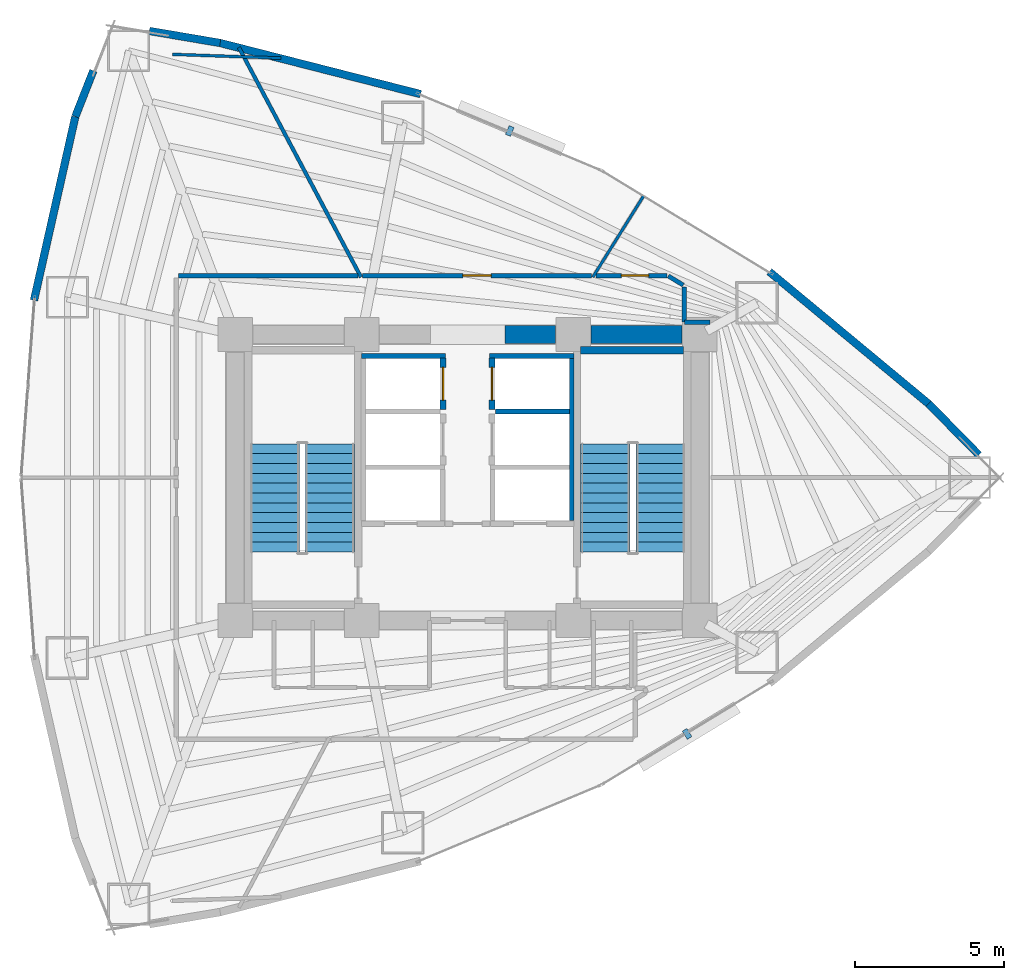
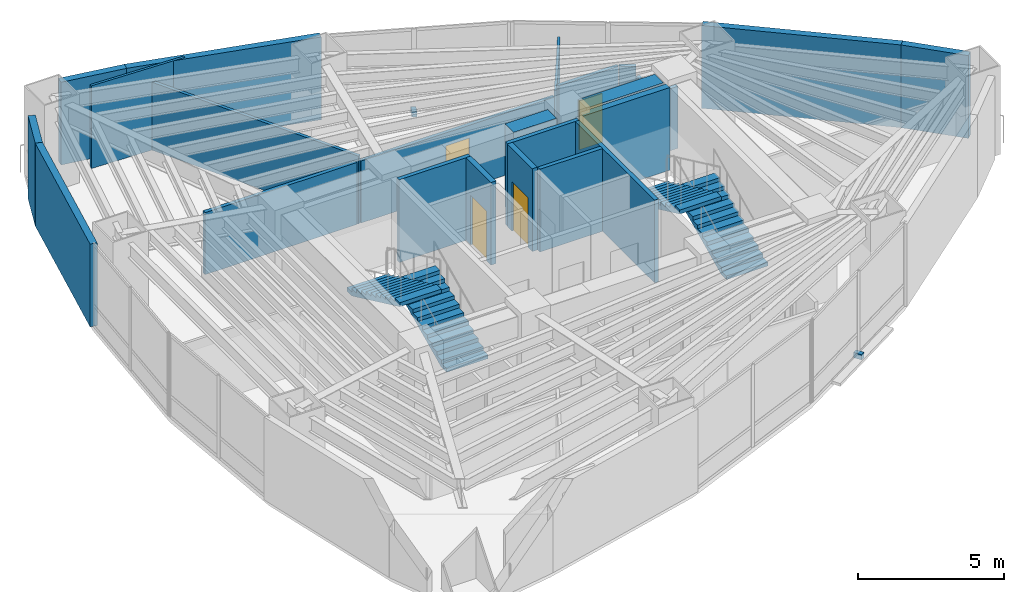
# One storey, part 15 of 18: 24 walls, 4 doors, 4 stair flights, 2 discrete accessories, 4 openings, 2 elements without a shape of their own.
"""IFC4 building model written with IfcOpenShell, lengths in metres."""

from ifc_helpers import new_model, si_unit, direction, frame, frame_2d, origin, origin_2d, place, context, subcontext, project, spatial, polyline, rectangle, outline, extrude, material, layer, layer_set, type_object, element, fill, aggregate, save


model = new_model("IFC4")

# Units and contexts
model_context = context("Model", 3, precision=1e-05, world=origin(), true_north=direction((0.0, 1.0)))
body_context = subcontext(model_context, "Body", "Model", "MODEL_VIEW")
ifc_project = project(units=[si_unit("LENGTHUNIT", "METRE"), si_unit("AREAUNIT", "SQUARE_METRE"), si_unit("VOLUMEUNIT", "CUBIC_METRE"), si_unit("PLANEANGLEUNIT", "RADIAN"), si_unit("MASSUNIT", "GRAM", prefix="KILO")], contexts=[model_context])

# Site, building, storey
site_placement = place(None, origin())
site = spatial("IfcSite", under=ifc_project, at=site_placement, CompositionType="ELEMENT")
building_placement = place(site_placement, origin())
building = spatial("IfcBuilding", under=site, at=building_placement, Name="Menara Vayukalpa", CompositionType="ELEMENT")
storey_placement = place(building_placement, frame((0.0, 0.0, 35.0400390625)))
storey = spatial("IfcBuildingStorey", under=building, at=storey_placement, Name="L07", CompositionType="ELEMENT", Elevation=35.0400390625)

# Walls
ifc_material_1 = material(Name="Concrete C70/85", Category="concrete")
ifc_layer_1 = layer(ifc_material_1, 0.60009765625)
ifc_layer_set_1 = layer_set([ifc_layer_1], Name="Concrete C70/85")
wall_type_1 = type_object("IfcWallType", Name="WAL-CW600", PredefinedType="SHEAR", material=ifc_layer_set_1)
wall_1_placement = place(storey_placement, frame((26.85009765625, 26.800048828125, 0.0), z_axis=(0.0, 0.0, 1.0), x_axis=(1.0, 0.0, 0.0)))
element("IfcWall", 1, at=wall_1_placement, inside=storey, type_object=wall_type_1, Name="L07 Buttressed Core Shear Wall CWN3", PredefinedType="SHEAR", context=body_context, shape_type="SweptSolid", body=[
    extrude(rectangle(XDim=1.704833984375, YDim=0.60009765625, at=frame_2d((0.8525390625, 0.0))), origin(), (0.0, 0.0, 1.0), 3.469970703125),
])
wall_2_placement = place(storey_placement, frame((29.7451171875, 26.800048828125, 0.0), z_axis=(0.0, 0.0, 1.0), x_axis=(1.0, 0.0, 0.0)))
element("IfcWall", 2, at=wall_2_placement, inside=storey, type_object=wall_type_1, Name="L07 Buttressed Core Shear Wall CWN4", PredefinedType="SHEAR", context=body_context, shape_type="SweptSolid", body=[
    extrude(rectangle(XDim=3.059814453125, YDim=0.60009765625, at=frame_2d((1.52978515625, 0.0))), origin(), (0.0, 0.0, 1.0), 3.469970703125),
])
ifc_material_2 = material(Name="Insulated Precast Concrete C40/50", Category="concrete")
ifc_layer_2 = layer(ifc_material_2, 0.260009765625)
ifc_layer_set_2 = layer_set([ifc_layer_2], Name="Insulated Precast Concrete C40/50")
wall_type_2 = type_object("IfcWallType", Name="WAL-EXT260", PredefinedType="PARTITIONING", material=ifc_layer_set_2)
wall_3_placement = place(storey_placement, frame((41.08056640625, 24.479248046875, 0.0), z_axis=(0.0, 0.0, 1.0), x_axis=(0.70059851419, -0.713555689427, 0.0)))
element("IfcWall", 3, at=wall_3_placement, inside=storey, type_object=wall_type_2, Name="L07 Perimeter Terracotta Pier Wall 02", PredefinedType="PARTITIONING", context=body_context, shape_type="SweptSolid", body=[
    extrude(rectangle(XDim=2.411865234375, YDim=0.260009765625, at=frame_2d((1.2060546875, 0.0))), origin(), (0.0, 0.0, 1.0), 3.469970703125),
])
for number, where, z_axis, x_axis, name in (
    (4, (35.732421875, 28.91357421875, 0.0), (0.0, 0.0, 1.0), (0.769754596928, -0.638339925517, 0.0), "L07 Perimeter Terracotta Pier Wall 03"),
    (5, (17.28173828125, 36.595703125, 0.0), (0.0, 0.0, 1.0), (0.968977974408, -0.247147092057, 0.0), "L07 Perimeter Terracotta Pier Wall 06"),
):
    element("IfcWall", number, at=place(storey_placement, frame(where, z_axis=z_axis, x_axis=x_axis)), inside=storey, type_object=wall_type_2, Name=name, PredefinedType="PARTITIONING", context=body_context, shape_type="SweptSolid", body=[
        extrude(rectangle(XDim=6.959228515625, YDim=0.260009765625, at=frame_2d((3.4794921875, 0.0))), origin(), (0.0, 0.0, 1.0), 3.469970703125),
    ])
wall_4_placement = place(storey_placement, frame((14.915283203125, 36.996826171875, 0.0), z_axis=(0.0, 0.0, 1.0), x_axis=(0.985905469923, -0.167303330437, 0.0)))
element("IfcWall", 6, at=wall_4_placement, inside=storey, type_object=wall_type_2, Name="L07 Perimeter Terracotta Pier Wall 07", PredefinedType="PARTITIONING", context=body_context, shape_type="SweptSolid", body=[
    extrude(rectangle(XDim=2.412109375, YDim=0.260009765625, at=frame_2d((1.2060546875, 0.0))), origin(), (0.0, 0.0, 1.0), 3.469970703125),
])
wall_5_placement = place(storey_placement, frame((12.427490234375, 34.119140625, 0.0), z_axis=(0.0, 0.0, 1.0), x_axis=(0.365666052462, 0.930746119023, 0.0)))
element("IfcWall", 7, at=wall_5_placement, inside=storey, type_object=wall_type_2, Name="L07 Perimeter Terracotta Pier Wall 08", PredefinedType="PARTITIONING", context=body_context, shape_type="SweptSolid", body=[
    extrude(rectangle(XDim=1.656494140625, YDim=0.260009765625, at=frame_2d((0.828125, 0.0))), origin(), (0.0, 0.0, 1.0), 3.469970703125),
])
wall_6_placement = place(storey_placement, frame((11.0400390625, 27.952392578125, 0.0), z_axis=(0.0, 0.0, 1.0), x_axis=(0.219502085231, 0.975612030768, 0.0)))
element("IfcWall", 8, at=wall_6_placement, inside=storey, type_object=wall_type_2, Name="L07 Perimeter Terracotta Pier Wall 09", PredefinedType="PARTITIONING", context=body_context, shape_type="SweptSolid", body=[
    extrude(rectangle(XDim=6.32080078125, YDim=0.260009765625, at=frame_2d((3.160400390625, 0.0))), origin(), (0.0, 0.0, 1.0), 3.469970703125),
])
ifc_material_3 = material(Name="Lightweight Concrete Blockwork C16/20", Category="masonry")
ifc_layer_3 = layer(ifc_material_3, 0.159912109375)
ifc_layer_set_3 = layer_set([ifc_layer_3], Name="Lightweight Concrete Blockwork C16/20")
wall_type_3 = type_object("IfcWallType", Name="WAL-FR150", PredefinedType="PARTITIONING", material=ifc_layer_set_3)
wall_7_placement = place(storey_placement, frame((22.030029296875, 26.0849609375, 0.0), z_axis=(0.0, 0.0, 1.0), x_axis=(1.0, 0.0, 0.0)))
element("IfcWall", 9, at=wall_7_placement, inside=storey, type_object=wall_type_3, Name="L07 Interior Partition IW-L07-SHM-W3N", PredefinedType="PARTITIONING", context=body_context, shape_type="SweptSolid", body=[
    extrude(rectangle(XDim=2.830078125, YDim=0.159912109375, at=frame_2d((1.4150390625, 0.0))), origin(), (0.0, 0.0, 1.0), 3.469970703125),
])
wall_8_placement = place(storey_placement, frame((29.094970703125, 20.56005859375, 0.0), z_axis=(0.0, 0.0, 1.0), x_axis=(0.0, 1.0, 0.0)))
element("IfcWall", 10, at=wall_8_placement, inside=storey, type_object=wall_type_3, Name="L07 Interior Partition IW-L07-SHW-EE", PredefinedType="PARTITIONING", context=body_context, shape_type="SweptSolid", body=[
    extrude(rectangle(XDim=5.449951171875, YDim=0.159912109375, at=frame_2d((2.72509765625, 0.0))), origin(), (0.0, 0.0, 1.0), 3.469970703125),
])
wall_9_placement = place(storey_placement, frame((26.530029296875, 24.215087890625, 0.0), z_axis=(0.0, 0.0, 1.0), x_axis=(1.0, 0.0, 0.0)))
element("IfcWall", 11, at=wall_9_placement, inside=storey, type_object=wall_type_3, Name="L07 Interior Partition IW-L07-SHM-E32", PredefinedType="PARTITIONING", context=body_context, shape_type="SweptSolid", body=[
    extrude(rectangle(XDim=2.489990234375, YDim=0.159912109375, at=frame_2d((1.2451171875, 0.0))), origin(), (0.0, 0.0, 1.0), 3.469970703125),
])
wall_10_placement = place(storey_placement, frame((26.340087890625, 26.0849609375, 0.0), z_axis=(0.0, 0.0, 1.0), x_axis=(1.0, 0.0, 0.0)))
element("IfcWall", 12, at=wall_10_placement, inside=storey, type_object=wall_type_3, Name="L07 Interior Partition IW-L07-SHM-E2N", PredefinedType="PARTITIONING", context=body_context, shape_type="SweptSolid", body=[
    extrude(rectangle(XDim=2.829833984375, YDim=0.159912109375, at=frame_2d((1.4150390625, 0.0))), origin(), (0.0, 0.0, 1.0), 3.469970703125),
])

# Wall, opening, door
ifc_material_4 = material(Name="Lightweight Concrete Blockwork C16/20", Category="masonry")
ifc_layer_4 = layer(ifc_material_4, 0.199951171875)
ifc_layer_set_4 = layer_set([ifc_layer_4], Name="Lightweight Concrete Blockwork C16/20")
wall_type_4 = type_object("IfcWallType", Name="WAL-FR200", PredefinedType="PARTITIONING", material=ifc_layer_set_4)
wall_11_placement = place(storey_placement, frame((24.780029296875, 24.2900390625, 0.0), z_axis=(0.0, 0.0, 1.0), x_axis=(0.0, 1.0, 0.0)))
wall_11 = element("IfcWall", 13, at=wall_11_placement, inside=storey, type_object=wall_type_4, Name="L07 Interior Partition IW-L07-SH-W3", PredefinedType="PARTITIONING", context=body_context, shape_type="SweptSolid", body=[
    extrude(rectangle(XDim=1.719970703125, YDim=0.199951171875, at=frame_2d((0.85986328125, 0.0))), origin(), (0.0, 0.0, 1.0), 3.469970703125),
])
opening_1_placement = place(wall_11_placement, frame((0.31005859375, 0.0, 0.0)))
opening_1 = element("IfcOpeningElement", 14, at=opening_1_placement, cuts=wall_11, Name="Opening LD1", PredefinedType="OPENING", context=body_context, shape_type="SweptSolid", body=[
    extrude(rectangle(XDim=1.10009765625, YDim=2.080078125, at=frame_2d((0.550048828125, 1.0400390625))), frame((0.0, 0.10986328125, 0.0), z_axis=(0.0, -1.0, 0.0), x_axis=(1.0, 0.0, 0.0)), (0.0, 0.0, 1.0), 0.219970703125),
])
ifc_material_5 = material(Name="Brushed Stainless Steel 316 Lift Door", Category="steel")
door_type_1 = type_object("IfcDoorType", Name="DR-LD110", OperationType="NOTDEFINED", PredefinedType="DOOR", material=ifc_material_5)
door_1_placement = place(opening_1_placement, origin())
door_1 = element("IfcDoor", 15, at=door_1_placement, inside=storey, type_object=door_type_1, Name="L07 Interior Door DR-L07-LD-W3", OperationType="DOUBLE_DOOR_SLIDING", OverallHeight=2.080078125, OverallWidth=1.10009765625, PredefinedType="DOOR", context=body_context, shape_type="SweptSolid", body=[
    extrude(rectangle(XDim=1.10009765625, YDim=2.080078125, at=frame_2d((0.550048828125, 1.0400390625))), frame((0.0, 0.02490234375, 0.0), z_axis=(0.0, -1.0, 0.0), x_axis=(1.0, 0.0, 0.0)), (0.0, 0.0, 1.0), 0.050048828125),
])
fill(opening_1, door_1)

wall_12_placement = place(storey_placement, frame((26.419921875, 24.2900390625, 0.0), z_axis=(0.0, 0.0, 1.0), x_axis=(0.0, 1.0, 0.0)))
wall_12 = element("IfcWall", 16, at=wall_12_placement, inside=storey, type_object=wall_type_4, Name="L07 Interior Partition IW-L07-SH-E2", PredefinedType="PARTITIONING", context=body_context, shape_type="SweptSolid", body=[
    extrude(rectangle(XDim=1.719970703125, YDim=0.199951171875, at=frame_2d((0.85986328125, 0.0))), origin(), (0.0, 0.0, 1.0), 3.469970703125),
])
opening_2_placement = place(wall_12_placement, frame((0.31005859375, 0.0, 0.0)))
opening_2 = element("IfcOpeningElement", 17, at=opening_2_placement, cuts=wall_12, Name="Opening LD1", PredefinedType="OPENING", context=body_context, shape_type="SweptSolid", body=[
    extrude(rectangle(XDim=1.10009765625, YDim=2.080078125, at=frame_2d((0.550048828125, 1.0400390625))), frame((0.0, 0.10986328125, 0.0), z_axis=(0.0, -1.0, 0.0), x_axis=(1.0, 0.0, 0.0)), (0.0, 0.0, 1.0), 0.219970703125),
])
door_2_placement = place(opening_2_placement, origin())
door_2 = element("IfcDoor", 18, at=door_2_placement, inside=storey, type_object=door_type_1, Name="L07 Interior Door DR-L07-LD-E2", OperationType="DOUBLE_DOOR_SLIDING", OverallHeight=2.080078125, OverallWidth=1.10009765625, PredefinedType="DOOR", context=body_context, shape_type="SweptSolid", body=[
    extrude(rectangle(XDim=1.10009765625, YDim=2.080078125, at=frame_2d((0.550048828125, 1.0400390625))), frame((0.0, 0.02490234375, 0.0), z_axis=(0.0, -1.0, 0.0), x_axis=(1.0, 0.0, 0.0)), (0.0, 0.0, 1.0), 0.050048828125),
])
fill(opening_2, door_2)

# Walls
ifc_material_6 = material(Name="Glazed Demountable Office Partition", Category="glass")
ifc_layer_5 = layer(ifc_material_6, 0.094970703125)
ifc_layer_set_5 = layer_set([ifc_layer_5], Name="Glazed Demountable Office Partition")
wall_type_5 = type_object("IfcWallType", Name="WAL-PT100", PredefinedType="PARTITIONING", material=ifc_layer_set_5)
wall_13_placement = place(storey_placement, frame((29.805419921875, 28.72998046875, 0.0), z_axis=(0.0, 0.0, 1.0), x_axis=(0.529903768235, 0.848057778934, 0.0)))
element("IfcWall", 19, at=wall_13_placement, inside=storey, type_object=wall_type_5, Name="L07 Interior Partition IW-L07-RDIV02", PredefinedType="PARTITIONING", context=body_context, shape_type="SweptSolid", body=[
    extrude(rectangle(XDim=3.228271484375, YDim=0.094970703125, at=frame_2d((1.6142578125, 0.0))), origin(), (0.0, 0.0, 1.0), 2.849853515625),
])
wall_14_placement = place(storey_placement, frame((19.3291015625, 36.083740234375, 0.0), z_axis=(0.0, 0.0, 1.0), x_axis=(-0.999389725088, 0.03493103762, 0.0)))
element("IfcWall", 20, at=wall_14_placement, inside=storey, type_object=wall_type_5, Name="L07 Interior Partition IW-L07-RDIV06", PredefinedType="PARTITIONING", context=body_context, shape_type="SweptSolid", body=[
    extrude(rectangle(XDim=3.641357421875, YDim=0.094970703125, at=frame_2d((1.82080078125, 0.0))), origin(), (0.0, 0.0, 1.0), 3.469970703125),
])
ifc_material_7 = material(Name="Gypsum Drywall Steel Stud Assembly", Category="steel")
ifc_layer_6 = layer(ifc_material_7, 0.125)
ifc_layer_set_6 = layer_set([ifc_layer_6], Name="Gypsum Drywall Steel Stud Assembly")
wall_type_6 = type_object("IfcWallType", Name="WAL-PT125", PredefinedType="PARTITIONING", material=ifc_layer_set_6)
wall_15_placement = place(storey_placement, frame((22.021484375, 28.72998046875, 0.0), z_axis=(0.0, 0.0, 1.0), x_axis=(-0.469465111929, 0.88295102281, 0.0)))
element("IfcWall", 21, at=wall_15_placement, inside=storey, type_object=wall_type_6, Name="L07 Interior Partition IW-L07-RDIV03", PredefinedType="PARTITIONING", context=body_context, shape_type="SweptSolid", body=[
    extrude(rectangle(XDim=8.735595703125, YDim=0.125, at=frame_2d((4.36767578125, 0.0))), origin(), (0.0, 0.0, 1.0), 2.849853515625),
])
ifc_material_8 = material(Name="Gypsum Drywall Acoustic Stud Assembly", Category="masonry")
ifc_layer_7 = layer(ifc_material_8, 0.14501953125)
ifc_layer_set_7 = layer_set([ifc_layer_7], Name="Gypsum Drywall Acoustic Stud Assembly")
wall_type_7 = type_object("IfcWallType", Name="WAL-PT150", PredefinedType="PARTITIONING", material=ifc_layer_set_7)
wall_16_placement = place(storey_placement, frame((33.739990234375, 27.219970703125, 0.0), z_axis=(0.0, 0.0, 1.0), x_axis=(-1.0, 0.0, 0.0)))
element("IfcWall", 22, at=wall_16_placement, inside=storey, type_object=wall_type_7, Name="L07 Interior Partition IW-L07-CRM04-1", PredefinedType="PARTITIONING", context=body_context, shape_type="SweptSolid", body=[
    extrude(rectangle(XDim=0.860107421875, YDim=0.14501953125, at=frame_2d((0.43017578125, 0.0))), origin(), (0.0, 0.0, 1.0), 2.599853515625),
])
wall_17_placement = place(storey_placement, frame((32.8798828125, 27.219970703125, 0.0), z_axis=(0.0, 0.0, 1.0), x_axis=(0.0, 1.0, 0.0)))
element("IfcWall", 23, at=wall_17_placement, inside=storey, type_object=wall_type_7, Name="L07 Interior Partition IW-L07-CRM04-2", PredefinedType="PARTITIONING", context=body_context, shape_type="SweptSolid", body=[
    extrude(rectangle(XDim=1.1748046875, YDim=0.14501953125, at=frame_2d((0.58740234375, 0.0))), origin(), (0.0, 0.0, 1.0), 2.599853515625),
])
wall_18_placement = place(storey_placement, frame((32.841552734375, 28.463134765625, 0.0), z_axis=(0.0, 0.0, 1.0), x_axis=(-0.854807247113, 0.518945633264, 0.0)))
element("IfcWall", 24, at=wall_18_placement, inside=storey, type_object=wall_type_7, Name="L07 Interior Partition IW-L07-CRM04-3", PredefinedType="PARTITIONING", context=body_context, shape_type="SweptSolid", body=[
    extrude(rectangle(XDim=0.588134765625, YDim=0.14501953125, at=frame_2d((0.2939453125, 0.0))), origin(), (0.0, 0.0, 1.0), 3.0),
])

# Wall, opening, door
wall_19_placement = place(storey_placement, frame((32.29736328125, 28.780029296875, 0.0), z_axis=(0.0, 0.0, 1.0), x_axis=(-1.0, 0.0, 0.0)))
wall_19 = element("IfcWall", 25, at=wall_19_placement, inside=storey, type_object=wall_type_7, Name="L07 Interior Partition IW-L07-CRM04-4", PredefinedType="PARTITIONING", context=body_context, shape_type="SweptSolid", body=[
    extrude(rectangle(XDim=2.378173828125, YDim=0.14501953125, at=frame_2d((1.18896484375, 0.0))), origin(), (0.0, 0.0, 1.0), 3.0),
])
opening_3_placement = place(wall_19_placement, frame((0.61669921875, 0.0, 0.0)))
opening_3 = element("IfcOpeningElement", 26, at=opening_3_placement, cuts=wall_19, Name="Opening ID6", PredefinedType="OPENING", context=body_context, shape_type="SweptSolid", body=[
    extrude(rectangle(XDim=0.919921875, YDim=2.050048828125, at=frame_2d((0.4599609375, 1.02490234375))), frame((0.0, 0.08251953125, 0.0), z_axis=(0.0, -1.0, 0.0), x_axis=(1.0, 0.0, 0.0)), (0.0, 0.0, 1.0), 0.1650390625),
])
ifc_material_9 = material(Name="Acoustic Hardwood Veneer Timber Door", Category="wood")
door_type_2 = type_object("IfcDoorType", Name="DR-INT92", OperationType="NOTDEFINED", PredefinedType="DOOR", material=ifc_material_9)
door_3_placement = place(opening_3_placement, origin())
door_3 = element("IfcDoor", 27, at=door_3_placement, inside=storey, type_object=door_type_2, Name="L07 Interior Door DR-L07-RM04", OperationType="SINGLE_SWING_RIGHT", OverallHeight=2.050048828125, OverallWidth=0.919921875, PredefinedType="DOOR", context=body_context, shape_type="SweptSolid", body=[
    extrude(rectangle(XDim=0.919921875, YDim=2.050048828125, at=frame_2d((0.4599609375, 1.02490234375))), frame((0.0, 0.02490234375, 0.0), z_axis=(0.0, -1.0, 0.0), x_axis=(1.0, 0.0, 0.0)), (0.0, 0.0, 1.0), 0.050048828125),
])
fill(opening_3, door_3)

wall_20_placement = place(storey_placement, frame((29.754150390625, 28.780029296875, 0.0), z_axis=(0.0, 0.0, 1.0), x_axis=(-1.0, 0.0, 0.0)))
wall_20 = element("IfcWall", 28, at=wall_20_placement, inside=storey, type_object=wall_type_7, Name="L07 Interior Partition IW-L07-CRM05-1", PredefinedType="PARTITIONING", context=body_context, shape_type="SweptSolid", body=[
    extrude(rectangle(XDim=7.679931640625, YDim=0.14501953125, at=frame_2d((3.83984375, 0.0))), origin(), (0.0, 0.0, 1.0), 2.599853515625),
])
opening_4_placement = place(wall_20_placement, frame((3.364990234375, 0.0, 0.0)))
opening_4 = element("IfcOpeningElement", 29, at=opening_4_placement, cuts=wall_20, Name="Opening ID5", PredefinedType="OPENING", context=body_context, shape_type="SweptSolid", body=[
    extrude(rectangle(XDim=0.949951171875, YDim=2.06005859375, at=frame_2d((0.47509765625, 1.030029296875))), frame((0.0, 0.08251953125, 0.0), z_axis=(0.0, -1.0, 0.0), x_axis=(1.0, 0.0, 0.0)), (0.0, 0.0, 1.0), 0.1650390625),
])
ifc_material_10 = material(Name="Acoustic Hardwood Veneer Timber Door", Category="wood")
door_type_3 = type_object("IfcDoorType", Name="DR-INT95", OperationType="NOTDEFINED", PredefinedType="DOOR", material=ifc_material_10)
door_4_placement = place(opening_4_placement, origin())
door_4 = element("IfcDoor", 30, at=door_4_placement, inside=storey, type_object=door_type_3, Name="L07 Interior Door DR-L07-RM05", OperationType="SINGLE_SWING_LEFT", OverallHeight=2.06005859375, OverallWidth=0.949951171875, PredefinedType="DOOR", context=body_context, shape_type="SweptSolid", body=[
    extrude(rectangle(XDim=0.949951171875, YDim=2.06005859375, at=frame_2d((0.47509765625, 1.030029296875))), frame((0.0, 0.02490234375, 0.0), z_axis=(0.0, -1.0, 0.0), x_axis=(1.0, 0.0, 0.0)), (0.0, 0.0, 1.0), 0.050048828125),
])
fill(opening_4, door_4)

# Walls
wall_21_placement = place(storey_placement, frame((21.915771484375, 28.780029296875, 0.0), z_axis=(0.0, 0.0, 1.0), x_axis=(-1.0, 0.0, 0.0)))
element("IfcWall", 31, at=wall_21_placement, inside=storey, type_object=wall_type_7, Name="L07 Interior Partition IW-L07-CRM06-1", PredefinedType="PARTITIONING", context=body_context, shape_type="SweptSolid", body=[
    extrude(rectangle(XDim=6.015869140625, YDim=0.14501953125, at=frame_2d((3.0078125, 0.0))), origin(), (0.0, 0.0, 1.0), 2.599853515625),
])
ifc_material_11 = material(Name="Concrete C50/60", Category="concrete")
ifc_layer_8 = layer(ifc_material_11, 0.25)
ifc_layer_set_8 = layer_set([ifc_layer_8], Name="Concrete C50/60")
wall_type_8 = type_object("IfcWallType", Name="WAL-SW250", PredefinedType="SHEAR", material=ifc_layer_set_8)
wall_22_placement = place(storey_placement, frame((29.39990234375, 26.27490234375, 0.0), z_axis=(0.0, 0.0, 1.0), x_axis=(1.0, 0.0, 0.0)))
element("IfcWall", 32, at=wall_22_placement, inside=storey, type_object=wall_type_8, Name="L07 ST2 Structural Stair Shaft Wall N", PredefinedType="SHEAR", context=body_context, shape_type="SweptSolid", body=[
    extrude(rectangle(XDim=3.446044921875, YDim=0.25, at=frame_2d((1.72314453125, 0.0))), origin(), (0.0, 0.0, 1.0), 3.469970703125),
])

# Stair, stair flights
ifc_material_12 = material(Name="Precast Concrete C40/50", Category="concrete")
stair_type = type_object("IfcStairType", Name="STR-T04", PredefinedType="DOUBLE_RETURN_STAIR", material=ifc_material_12)
stair_1_placement = place(storey_placement, origin())
stair_1 = element("IfcStair", 33, at=stair_1_placement, inside=storey, type_object=stair_type, Name="L07 Core Exit Stair ST-1", PredefinedType="DOUBLE_RETURN_STAIR")
ifc_material_13 = material(Name="Precast Concrete C40/50", Category="concrete")
stair_flight_type = type_object("IfcStairFlightType", Name="STF-T04", PredefinedType="STRAIGHT", material=ifc_material_13)
stair_flight_1_placement = place(storey_placement, frame((20.97509765625, 19.5, 0.0), z_axis=(0.0, 0.0, 1.0), x_axis=(0.0, 1.0, 0.0)))
stair_flight_1 = element("IfcStairFlight", 34, at=stair_flight_1_placement, type_object=stair_flight_type, Name="ST-1 flight 1", NumberOfRisers=12, NumberOfTreads=11, PredefinedType="STRAIGHT", RiserHeight=0.155, TreadLength=0.33, context=body_context, shape_type="SweptSolid", body=[
    extrude(outline(polyline([(0.0, 0.0), (0.0, 0.155029296875), (0.330078125, 0.155029296875), (0.330078125, 0.31005859375), (0.659912109375, 0.31005859375), (0.659912109375, 0.465087890625), (0.989990234375, 0.465087890625), (0.989990234375, 0.6201171875), (1.320068359375, 0.6201171875), (1.320068359375, 0.77490234375), (1.64990234375, 0.77490234375), (1.64990234375, 0.929931640625), (1.97998046875, 0.929931640625), (1.97998046875, 1.0849609375), (2.31005859375, 1.0849609375), (2.31005859375, 1.239990234375), (2.639892578125, 1.239990234375), (2.639892578125, 1.39501953125), (2.969970703125, 1.39501953125), (2.969970703125, 1.550048828125), (3.300048828125, 1.550048828125), (3.300048828125, 1.705078125), (3.6298828125, 1.705078125), (3.6298828125, 1.860107421875), (3.6298828125, 1.539306640625), (0.3525390625, 0.0), (0.0, 0.0)])), frame((0.0, 0.824951171875, 0.0), z_axis=(0.0, -1.0, 0.0), x_axis=(1.0, 0.0, 0.0)), (0.0, 0.0, 1.0), 1.64990234375),
])
stair_flight_2_placement = place(storey_placement, frame((19.125, 23.1298828125, 1.85986328125), z_axis=(0.0, 0.0, 1.0), x_axis=(0.0, -1.0, 0.0)))
stair_flight_2 = element("IfcStairFlight", 35, at=stair_flight_2_placement, type_object=stair_flight_type, Name="ST-1 flight 2", NumberOfRisers=12, NumberOfTreads=11, PredefinedType="STRAIGHT", RiserHeight=0.155, TreadLength=0.33, context=body_context, shape_type="SweptSolid", body=[
    extrude(outline(polyline([(0.0, 0.0), (0.0, 0.155029296875), (0.330078125, 0.155029296875), (0.330078125, 0.31005859375), (0.659912109375, 0.31005859375), (0.659912109375, 0.465087890625), (0.989990234375, 0.465087890625), (0.989990234375, 0.6201171875), (1.320068359375, 0.6201171875), (1.320068359375, 0.77490234375), (1.64990234375, 0.77490234375), (1.64990234375, 0.929931640625), (1.97998046875, 0.929931640625), (1.97998046875, 1.0849609375), (2.31005859375, 1.0849609375), (2.31005859375, 1.239990234375), (2.639892578125, 1.239990234375), (2.639892578125, 1.39501953125), (2.969970703125, 1.39501953125), (2.969970703125, 1.550048828125), (3.300048828125, 1.550048828125), (3.300048828125, 1.705078125), (3.6298828125, 1.705078125), (3.6298828125, 1.860107421875), (3.6298828125, 1.539306640625), (0.3525390625, 0.0), (0.0, 0.0)])), frame((0.0, 0.824951171875, 0.0), z_axis=(0.0, -1.0, 0.0), x_axis=(1.0, 0.0, 0.0)), (0.0, 0.0, 1.0), 1.64990234375),
])
aggregate(stair_1, [stair_flight_1, stair_flight_2])

stair_2_placement = place(storey_placement, origin())
stair_2 = element("IfcStair", 36, at=stair_2_placement, inside=storey, type_object=stair_type, Name="L07 Core Exit Stair ST-2", PredefinedType="DOUBLE_RETURN_STAIR")
stair_flight_3_placement = place(storey_placement, frame((32.074951171875, 19.5, 0.0), z_axis=(0.0, 0.0, 1.0), x_axis=(0.0, 1.0, 0.0)))
stair_flight_3 = element("IfcStairFlight", 37, at=stair_flight_3_placement, type_object=stair_flight_type, Name="ST-2 flight 1", NumberOfRisers=12, NumberOfTreads=11, PredefinedType="STRAIGHT", RiserHeight=0.155, TreadLength=0.33, context=body_context, shape_type="SweptSolid", body=[
    extrude(outline(polyline([(0.0, 0.0), (0.0, 0.155029296875), (0.330078125, 0.155029296875), (0.330078125, 0.31005859375), (0.659912109375, 0.31005859375), (0.659912109375, 0.465087890625), (0.989990234375, 0.465087890625), (0.989990234375, 0.6201171875), (1.320068359375, 0.6201171875), (1.320068359375, 0.77490234375), (1.64990234375, 0.77490234375), (1.64990234375, 0.929931640625), (1.97998046875, 0.929931640625), (1.97998046875, 1.0849609375), (2.31005859375, 1.0849609375), (2.31005859375, 1.239990234375), (2.639892578125, 1.239990234375), (2.639892578125, 1.39501953125), (2.969970703125, 1.39501953125), (2.969970703125, 1.550048828125), (3.300048828125, 1.550048828125), (3.300048828125, 1.705078125), (3.6298828125, 1.705078125), (3.6298828125, 1.860107421875), (3.6298828125, 1.539306640625), (0.3525390625, 0.0), (0.0, 0.0)])), frame((0.0, 0.824951171875, 0.0), z_axis=(0.0, -1.0, 0.0), x_axis=(1.0, 0.0, 0.0)), (0.0, 0.0, 1.0), 1.64990234375),
])
stair_flight_4_placement = place(storey_placement, frame((30.22509765625, 23.1298828125, 1.85986328125), z_axis=(0.0, 0.0, 1.0), x_axis=(0.0, -1.0, 0.0)))
stair_flight_4 = element("IfcStairFlight", 38, at=stair_flight_4_placement, type_object=stair_flight_type, Name="ST-2 flight 2", NumberOfRisers=12, NumberOfTreads=11, PredefinedType="STRAIGHT", RiserHeight=0.155, TreadLength=0.33, context=body_context, shape_type="SweptSolid", body=[
    extrude(outline(polyline([(0.0, 0.0), (0.0, 0.155029296875), (0.330078125, 0.155029296875), (0.330078125, 0.31005859375), (0.659912109375, 0.31005859375), (0.659912109375, 0.465087890625), (0.989990234375, 0.465087890625), (0.989990234375, 0.6201171875), (1.320068359375, 0.6201171875), (1.320068359375, 0.77490234375), (1.64990234375, 0.77490234375), (1.64990234375, 0.929931640625), (1.97998046875, 0.929931640625), (1.97998046875, 1.0849609375), (2.31005859375, 1.0849609375), (2.31005859375, 1.239990234375), (2.639892578125, 1.239990234375), (2.639892578125, 1.39501953125), (2.969970703125, 1.39501953125), (2.969970703125, 1.550048828125), (3.300048828125, 1.550048828125), (3.300048828125, 1.705078125), (3.6298828125, 1.705078125), (3.6298828125, 1.860107421875), (3.6298828125, 1.539306640625), (0.3525390625, 0.0), (0.0, 0.0)])), frame((0.0, 0.824951171875, 0.0), z_axis=(0.0, -1.0, 0.0), x_axis=(1.0, 0.0, 0.0)), (0.0, 0.0, 1.0), 1.64990234375),
])
aggregate(stair_2, [stair_flight_3, stair_flight_4])

# Discrete accessories
ifc_material_14 = material(Name="Stainless Steel 316 Sunshade Bracket", Category="steel")
discrete_accessory_type = type_object("IfcDiscreteAccessoryType", Name="ACC-BRK1", PredefinedType="BRACKET", material=ifc_material_14)
for number, where, z_axis, x_axis, name in (
    (39, (27.018310546875, 33.638916015625, -0.16015625), (0.0, 0.0, 1.0), (-0.922544824647, 0.385889940938, 0.0), "L07 Terracotta Sunshade Bracket 05"),
    (40, (32.9716796875, 13.39306640625, -0.16015625), (0.0, 0.0, 1.0), (0.85466730962, 0.519176068272, 0.0), "L07 Terracotta Sunshade Bracket 17"),
):
    element("IfcDiscreteAccessory", number, at=place(storey_placement, frame(where, z_axis=z_axis, x_axis=x_axis)), inside=storey, type_object=discrete_accessory_type, Name=name, PredefinedType="BRACKET", context=body_context, shape_type="SweptSolid", body=[
        extrude(rectangle(XDim=0.179931640625, YDim=0.320068359375, at=origin_2d()), origin(), (0.0, 0.0, 1.0), 0.219970703125),
    ])

save(model, "model.ifc")
